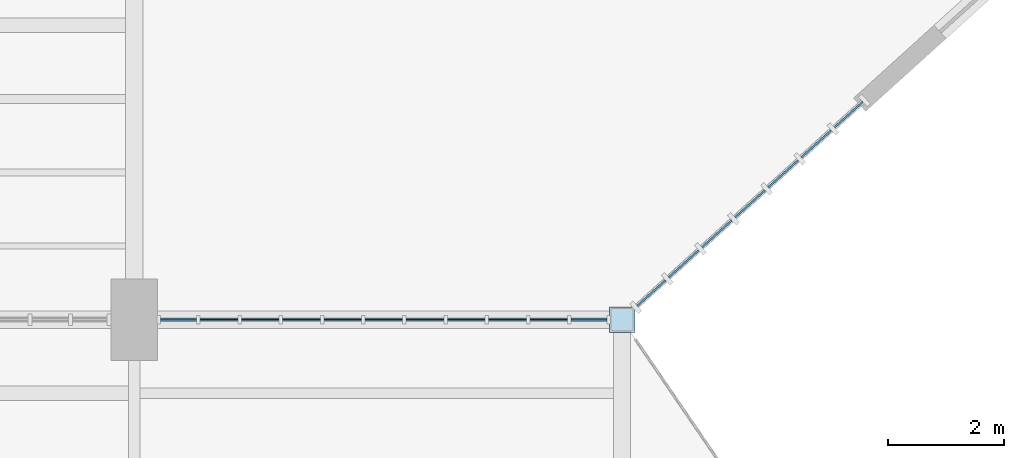
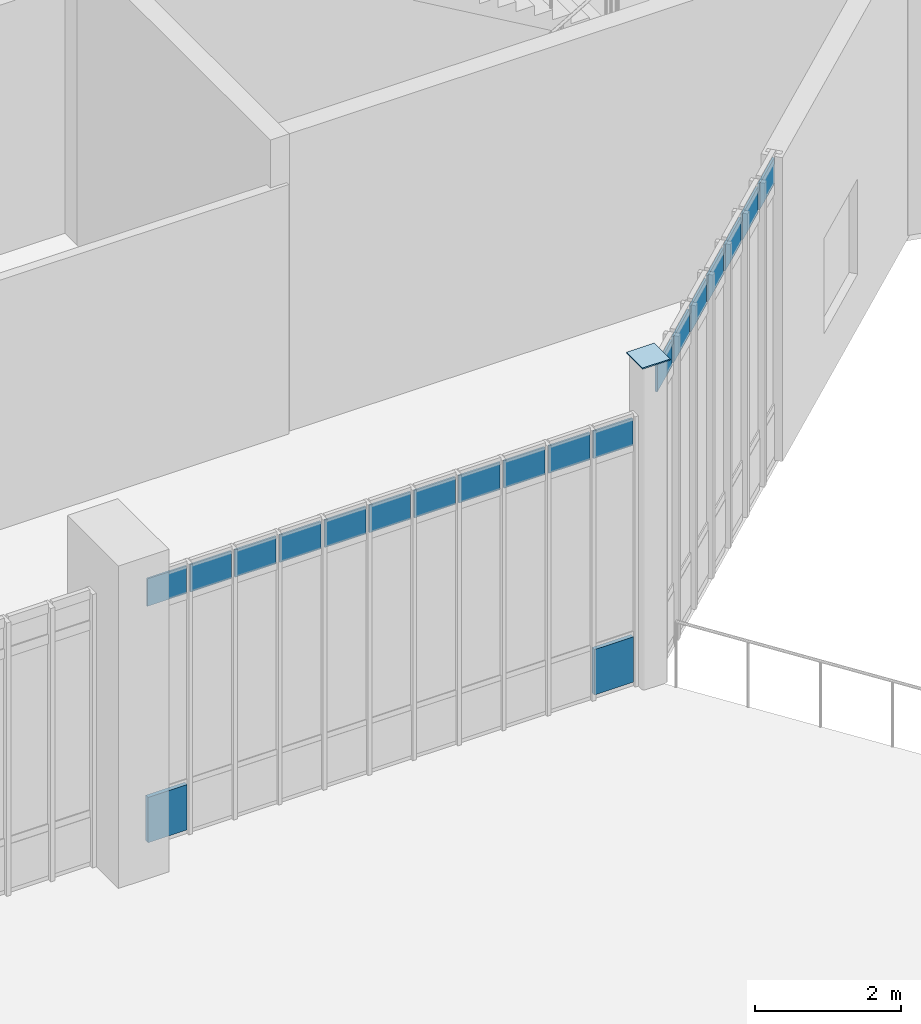
# One storey, part 86 of 127: 21 plates, 2 elements without a shape of their own.
"""IFC4 building model written with IfcOpenShell, lengths in metres."""

import ifcopenshell
import ifcopenshell.guid

model = None  # the IFC model being written
_history = None  # IfcOwnerHistory: only IFC2X3 demands one
_inside = {}  # id of a spatial element -> (the spatial element, [elements in it])
_under = {}  # id of a project, library or spatial element -> (it, [spatial elements below it])
_declared = {}  # id of a project -> (the project, [libraries it declares])
_typed = {}  # id of a type object -> (the type object, [elements of that type])
_made_of = {}  # id of a material, layer set ... -> (it, [elements and type objects made of it])


def new_model(schema):
    """Start an empty IFC model of exactly this schema.

    Asked for "IFC4X3", IfcOpenShell would pick the latest addendum, in which some entities
    have other attributes; the version numbers below select the first issue.
    IFC2X3 requires an IfcOwnerHistory on every rooted entity: one is made here for all.
    """
    global model, _history
    if schema == "IFC4X3":
        model = ifcopenshell.file(schema_version=(4, 3, 0, 0))
    else:
        model = ifcopenshell.file(schema=schema)
    _inside.clear()
    _under.clear()
    _declared.clear()
    _typed.clear()
    _made_of.clear()
    _history = None
    if model.schema == "IFC2X3":
        org = make("IfcOrganization", Name="unknown")
        user = make(
            "IfcPersonAndOrganization",
            ThePerson=make("IfcPerson", FamilyName="unknown"),
            TheOrganization=org,
        )
        app = make(
            "IfcApplication",
            ApplicationDeveloper=org,
            Version="unknown",
            ApplicationFullName="unknown",
            ApplicationIdentifier="unknown",
        )
        _history = make(
            "IfcOwnerHistory",
            OwningUser=user,
            OwningApplication=app,
            ChangeAction="ADDED",
            CreationDate=0,
        )
    return model


def make(cls, **values):
    """One entity of the class cls with the attributes given. An attribute that is None is left unset."""
    return model.create_entity(
        cls, **{name: value for name, value in values.items() if value is not None}
    )


def rooted(cls, **values):
    """An entity with a GlobalId (a new one), such as an element, a storey or a relation."""
    return make(cls, GlobalId=ifcopenshell.guid.new(), OwnerHistory=_history, **values)


def si_unit(unit_type, name, prefix=None):
    """IfcSIUnit, for example si_unit("LENGTHUNIT", "METRE", prefix="MILLI")."""
    return make("IfcSIUnit", UnitType=unit_type, Prefix=prefix, Name=name)


def assignment(units):
    """IfcUnitAssignment: the units of a project."""
    return None if units is None else make("IfcUnitAssignment", Units=units)


def point(xyz):
    """IfcCartesianPoint."""
    return None if xyz is None else make("IfcCartesianPoint", Coordinates=xyz)


def direction(xyz):
    """IfcDirection."""
    return None if xyz is None else make("IfcDirection", DirectionRatios=xyz)


def frame(location, z_axis=None, x_axis=None):
    """IfcAxis2Placement3D, a coordinate frame: its origin and axes. An axis left out is left unset."""
    return make(
        "IfcAxis2Placement3D",
        Location=point(location),
        Axis=direction(z_axis),
        RefDirection=direction(x_axis),
    )


def frame_2d(location, x_axis=None):
    """IfcAxis2Placement2D, a coordinate frame in the plane: its origin and x axis."""
    return make(
        "IfcAxis2Placement2D", Location=point(location), RefDirection=direction(x_axis)
    )


def origin():
    """The frame at (0, 0, 0) with its axes left unset."""
    return frame((0.0, 0.0, 0.0))


def origin_2d():
    """The frame at (0, 0) in the plane with its x axis left unset."""
    return frame_2d((0.0, 0.0))


def place(relative_to, where):
    """IfcLocalPlacement: puts the frame where relative to a parent placement (None: the world)."""
    return make(
        "IfcLocalPlacement", PlacementRelTo=relative_to, RelativePlacement=where
    )


def context(
    kind, dimensions, precision=None, world=None, true_north=None, identifier=None
):
    """IfcGeometricRepresentationContext, for example the 3D "Model" context."""
    return make(
        "IfcGeometricRepresentationContext",
        ContextIdentifier=identifier,
        ContextType=kind,
        CoordinateSpaceDimension=dimensions,
        Precision=precision,
        WorldCoordinateSystem=world,
        TrueNorth=true_north,
    )


def subcontext(parent, identifier, kind, view, scale=None):
    """IfcGeometricRepresentationSubContext, for example "Body" below "Model"."""
    return make(
        "IfcGeometricRepresentationSubContext",
        ContextIdentifier=identifier,
        ContextType=kind,
        ParentContext=parent,
        TargetScale=scale,
        TargetView=view,
    )


def project(units=None, contexts=None):
    """IfcProject with its units and contexts."""
    return rooted(
        "IfcProject",
        Name="project",
        RepresentationContexts=contexts,
        UnitsInContext=assignment(units),
    )


def spatial(cls, under=None, at=None, **own):
    """A site, building, storey or space (cls), placed at a placement, below another one or the project."""
    s = rooted(cls, ObjectPlacement=at, **own)
    if under is not None:
        _under.setdefault(under.id(), (under, []))[1].append(s)
    return s


def profile(cls, at=None, kind="AREA", **sizes):
    """A parametric profile (cls). Its sizes go by their IFC names, for example OverallWidth=200.0."""
    return make(cls, ProfileType=kind, Position=at, **sizes)


def rectangle(**sizes):
    """IfcRectangleProfileDef."""
    return profile("IfcRectangleProfileDef", **sizes)


def extrude(swept, where, along, depth):
    """IfcExtrudedAreaSolid: the profile swept, set in the frame where, extruded along a direction by depth."""
    return make(
        "IfcExtrudedAreaSolid",
        SweptArea=swept,
        Position=where,
        ExtrudedDirection=direction(along),
        Depth=depth,
    )


def shape(context_of_items, identifier, shape_type, items):
    """IfcShapeRepresentation: the items that make up one representation, for example the "Body"."""
    return make(
        "IfcShapeRepresentation",
        ContextOfItems=context_of_items,
        RepresentationIdentifier=identifier,
        RepresentationType=shape_type,
        Items=items,
    )


def material(Name=None, Category=None):
    """IfcMaterial."""
    return make("IfcMaterial", Name=Name, Category=Category)


def layer(
    of_material, thickness, ventilated=None, Name=None, Category=None, Priority=None
):
    """IfcMaterialLayer: one layer of a wall or slab, of a material (None: an air gap)."""
    return make(
        "IfcMaterialLayer",
        Material=of_material,
        LayerThickness=thickness,
        IsVentilated=ventilated,
        Name=Name,
        Category=Category,
        Priority=Priority,
    )


def layer_set(layers, Name=None):
    """IfcMaterialLayerSet."""
    return make("IfcMaterialLayerSet", MaterialLayers=layers, LayerSetName=Name)


def made_of(thing, what):
    """Note that an element or type object is made of a material, layer set ...; save() writes the relation."""
    if what is not None:
        _made_of.setdefault(what.id(), (what, []))[1].append(thing)
    return thing


def type_object(cls, material=None, **own):
    """A type object (cls), such as IfcWallType, which elements share."""
    return made_of(rooted(cls, **own), material)


def element(
    cls,
    number,
    at=None,
    inside=None,
    cuts=None,
    type_object=None,
    material=None,
    context=None,
    identifier="Body",
    shape_type=None,
    held_by="IfcProductDefinitionShape",
    body=None,
    shapes=None,
    **own,
):
    """One element of the class cls, such as IfcWall. Its Tag is "e" and its number.

    at: its placement. inside: the storey or other place that contains it. cuts: it is an
    opening in that element (IfcRelVoidsElement). A single representation is given by context,
    identifier, shape_type and body (its items); several are given by shapes. held_by: the class
    of the entity that holds the representations. save() writes the other relations.
    """
    e = rooted(cls, Tag="e%d" % number, ObjectPlacement=at, **own)
    if body is not None:
        shapes = [shape(context, identifier, shape_type, body)]
    if shapes is not None:
        e.Representation = make(held_by, Representations=shapes)
    if inside is not None:
        _inside.setdefault(inside.id(), (inside, []))[1].append(e)
    if cuts is not None:
        rooted(
            "IfcRelVoidsElement", RelatingBuildingElement=cuts, RelatedOpeningElement=e
        )
    if type_object is not None:
        _typed.setdefault(type_object.id(), (type_object, []))[1].append(e)
    return made_of(e, material)


def aggregate(whole, parts):
    """IfcRelAggregates: a whole, such as a stair, and the parts it consists of."""
    return rooted("IfcRelAggregates", RelatingObject=whole, RelatedObjects=parts)


def save(model, path):
    """Write the relations noted so far, then the file.

    IfcRelAggregates (storeys below a building ...), IfcRelContainedInSpatialStructure (elements
    in a storey), IfcRelDefinesByType, IfcRelAssociatesMaterial and IfcRelDeclares: one each for
    every whole, place, type object, material and project.
    """
    for whole, parts in _under.values():
        aggregate(whole, parts)
    for where, things in _inside.values():
        rooted(
            "IfcRelContainedInSpatialStructure",
            RelatedElements=things,
            RelatingStructure=where,
        )
    for kind, things in _typed.values():
        rooted("IfcRelDefinesByType", RelatedObjects=things, RelatingType=kind)
    for what, things in _made_of.values():
        rooted("IfcRelAssociatesMaterial", RelatedObjects=things, RelatingMaterial=what)
    for by, libraries in _declared.values():
        rooted("IfcRelDeclares", RelatingContext=by, RelatedDefinitions=libraries)
    model.write(path)


model = new_model("IFC4")

# Units and contexts
model_context = context("Model", 3, precision=1e-05, world=origin(), true_north=direction((0.0, 1.0)))
body_context = subcontext(model_context, "Body", "Model", "MODEL_VIEW")
ifc_project = project(units=[si_unit("LENGTHUNIT", "METRE"), si_unit("AREAUNIT", "SQUARE_METRE"), si_unit("VOLUMEUNIT", "CUBIC_METRE"), si_unit("PLANEANGLEUNIT", "RADIAN"), si_unit("MASSUNIT", "GRAM", prefix="KILO")], contexts=[model_context])

# Site, building, storey
site_placement = place(None, origin())
site = spatial("IfcSite", under=ifc_project, at=site_placement, CompositionType="ELEMENT")
building_placement = place(site_placement, origin())
building = spatial("IfcBuilding", under=site, at=building_placement, Name="Larkvane Passage Sports Hall", CompositionType="ELEMENT")
storey_placement = place(building_placement, frame((0.0, 0.0, 5.39990234375)))
storey = spatial("IfcBuildingStorey", under=building, at=storey_placement, Name="L01", CompositionType="ELEMENT", Elevation=5.39990234375)

# Curtain wall, plates
ifc_material_1 = material(Name="Thermally broken aluminium and low-E glazing", Category="aluminium")
curtain_wall_type_1 = type_object("IfcCurtainWallType", Name="CW-UNIT-COURT", PredefinedType="USERDEFINED", material=ifc_material_1)
curtain_wall_1_placement = place(storey_placement, origin())
curtain_wall_1 = element("IfcCurtainWall", 1, at=curtain_wall_1_placement, inside=storey, type_object=curtain_wall_type_1, Name="Curtain wall CW5-L01-028", ObjectType="UNITISED CURTAIN WALL", PredefinedType="USERDEFINED")
ifc_material_2 = material(Name="Insulated aluminium spandrel panel", Category="aluminium")
ifc_layer_1 = layer(ifc_material_2, 0.06494140625)
ifc_layer_set_1 = layer_set([ifc_layer_1], Name="Insulated aluminium spandrel panel")
plate_type_1 = type_object("IfcPlateType", Name="CWP-SPD-65", PredefinedType="CURTAIN_PANEL", material=ifc_layer_set_1)
plate_1_placement = place(storey_placement, frame((84.634033203125, 15.199951171875, 0.06005859375), z_axis=(0.0, 0.0, 1.0), x_axis=(-1.0, 0.0, 0.0)))
plate_1 = element("IfcPlate", 2, at=plate_1_placement, type_object=plate_type_1, Name="CW-01 panel 1.1", PredefinedType="CURTAIN_PANEL", context=body_context, shape_type="SweptSolid", body=[
    extrude(rectangle(XDim=0.619873046875, YDim=0.06494140625, at=origin_2d()), origin(), (0.0, 0.0, 1.0), 0.760009765625),
])
plate_2_placement = place(storey_placement, frame((77.56591796875, 15.199951171875, 0.06005859375), z_axis=(0.0, 0.0, 1.0), x_axis=(-1.0, 0.0, 0.0)))
plate_2 = element("IfcPlate", 3, at=plate_2_placement, type_object=plate_type_1, Name="CW-01 panel 11.1", PredefinedType="CURTAIN_PANEL", context=body_context, shape_type="SweptSolid", body=[
    extrude(rectangle(XDim=0.619873046875, YDim=0.06494140625, at=origin_2d()), origin(), (0.0, 0.0, 1.0), 0.760009765625),
])
ifc_material_3 = material(Name="Solar-control low-E double glazing", Category="glass")
ifc_layer_2 = layer(ifc_material_3, 0.028076171875)
ifc_layer_set_2 = layer_set([ifc_layer_2], Name="Solar-control low-E double glazing")
plate_type_2 = type_object("IfcPlateType", Name="CWP-VIS-28", PredefinedType="CURTAIN_PANEL", material=ifc_layer_set_2)
plate_3_placement = place(storey_placement, frame((84.634033203125, 15.199951171875, 4.008056640625), z_axis=(0.0, 0.0, 1.0), x_axis=(-1.0, 0.0, 0.0)))
plate_3 = element("IfcPlate", 4, at=plate_3_placement, type_object=plate_type_2, Name="CW-01 panel 1.3", PredefinedType="CURTAIN_PANEL", context=body_context, shape_type="SweptSolid", body=[
    extrude(rectangle(XDim=0.619873046875, YDim=0.028076171875, at=origin_2d()), origin(), (0.0, 0.0, 1.0), 0.4599609375),
])
plate_4_placement = place(storey_placement, frame((83.939208984375, 15.199951171875, 4.008056640625), z_axis=(0.0, 0.0, 1.0), x_axis=(-1.0, 0.0, 0.0)))
plate_4 = element("IfcPlate", 5, at=plate_4_placement, type_object=plate_type_2, Name="CW-01 panel 2.3", PredefinedType="CURTAIN_PANEL", context=body_context, shape_type="SweptSolid", body=[
    extrude(rectangle(XDim=0.64990234375, YDim=0.028076171875, at=origin_2d()), origin(), (0.0, 0.0, 1.0), 0.4599609375),
])
plate_5_placement = place(storey_placement, frame((83.2294921875, 15.199951171875, 4.008056640625), z_axis=(0.0, 0.0, 1.0), x_axis=(-1.0, 0.0, 0.0)))
plate_5 = element("IfcPlate", 6, at=plate_5_placement, type_object=plate_type_2, Name="CW-01 panel 3.3", PredefinedType="CURTAIN_PANEL", context=body_context, shape_type="SweptSolid", body=[
    extrude(rectangle(XDim=0.64990234375, YDim=0.028076171875, at=origin_2d()), origin(), (0.0, 0.0, 1.0), 0.4599609375),
])
plate_6_placement = place(storey_placement, frame((82.51953125, 15.199951171875, 4.008056640625), z_axis=(0.0, 0.0, 1.0), x_axis=(-1.0, 0.0, 0.0)))
plate_6 = element("IfcPlate", 7, at=plate_6_placement, type_object=plate_type_2, Name="CW-01 panel 4.3", PredefinedType="CURTAIN_PANEL", context=body_context, shape_type="SweptSolid", body=[
    extrude(rectangle(XDim=0.64990234375, YDim=0.028076171875, at=origin_2d()), origin(), (0.0, 0.0, 1.0), 0.4599609375),
])
plate_7_placement = place(storey_placement, frame((81.809814453125, 15.199951171875, 4.008056640625), z_axis=(0.0, 0.0, 1.0), x_axis=(-1.0, 0.0, 0.0)))
plate_7 = element("IfcPlate", 8, at=plate_7_placement, type_object=plate_type_2, Name="CW-01 panel 5.3", PredefinedType="CURTAIN_PANEL", context=body_context, shape_type="SweptSolid", body=[
    extrude(rectangle(XDim=0.64990234375, YDim=0.028076171875, at=origin_2d()), origin(), (0.0, 0.0, 1.0), 0.4599609375),
])
plate_8_placement = place(storey_placement, frame((81.10009765625, 15.199951171875, 4.008056640625), z_axis=(0.0, 0.0, 1.0), x_axis=(-1.0, 0.0, 0.0)))
plate_8 = element("IfcPlate", 9, at=plate_8_placement, type_object=plate_type_2, Name="CW-01 panel 6.3", PredefinedType="CURTAIN_PANEL", context=body_context, shape_type="SweptSolid", body=[
    extrude(rectangle(XDim=0.64990234375, YDim=0.028076171875, at=origin_2d()), origin(), (0.0, 0.0, 1.0), 0.4599609375),
])
plate_9_placement = place(storey_placement, frame((80.39013671875, 15.199951171875, 4.008056640625), z_axis=(0.0, 0.0, 1.0), x_axis=(-1.0, 0.0, 0.0)))
plate_9 = element("IfcPlate", 10, at=plate_9_placement, type_object=plate_type_2, Name="CW-01 panel 7.3", PredefinedType="CURTAIN_PANEL", context=body_context, shape_type="SweptSolid", body=[
    extrude(rectangle(XDim=0.64990234375, YDim=0.028076171875, at=origin_2d()), origin(), (0.0, 0.0, 1.0), 0.4599609375),
])
plate_10_placement = place(storey_placement, frame((79.680419921875, 15.199951171875, 4.008056640625), z_axis=(0.0, 0.0, 1.0), x_axis=(-1.0, 0.0, 0.0)))
plate_10 = element("IfcPlate", 11, at=plate_10_placement, type_object=plate_type_2, Name="CW-01 panel 8.3", PredefinedType="CURTAIN_PANEL", context=body_context, shape_type="SweptSolid", body=[
    extrude(rectangle(XDim=0.64990234375, YDim=0.028076171875, at=origin_2d()), origin(), (0.0, 0.0, 1.0), 0.4599609375),
])
plate_11_placement = place(storey_placement, frame((78.970458984375, 15.199951171875, 4.008056640625), z_axis=(0.0, 0.0, 1.0), x_axis=(-1.0, 0.0, 0.0)))
plate_11 = element("IfcPlate", 12, at=plate_11_placement, type_object=plate_type_2, Name="CW-01 panel 9.3", PredefinedType="CURTAIN_PANEL", context=body_context, shape_type="SweptSolid", body=[
    extrude(rectangle(XDim=0.64990234375, YDim=0.028076171875, at=origin_2d()), origin(), (0.0, 0.0, 1.0), 0.4599609375),
])
plate_12_placement = place(storey_placement, frame((78.2607421875, 15.199951171875, 4.008056640625), z_axis=(0.0, 0.0, 1.0), x_axis=(-1.0, 0.0, 0.0)))
plate_12 = element("IfcPlate", 13, at=plate_12_placement, type_object=plate_type_2, Name="CW-01 panel 10.3", PredefinedType="CURTAIN_PANEL", context=body_context, shape_type="SweptSolid", body=[
    extrude(rectangle(XDim=0.64990234375, YDim=0.028076171875, at=origin_2d()), origin(), (0.0, 0.0, 1.0), 0.4599609375),
])
plate_13_placement = place(storey_placement, frame((77.56591796875, 15.199951171875, 4.008056640625), z_axis=(0.0, 0.0, 1.0), x_axis=(-1.0, 0.0, 0.0)))
plate_13 = element("IfcPlate", 14, at=plate_13_placement, type_object=plate_type_2, Name="CW-01 panel 11.3", PredefinedType="CURTAIN_PANEL", context=body_context, shape_type="SweptSolid", body=[
    extrude(rectangle(XDim=0.619873046875, YDim=0.028076171875, at=origin_2d()), origin(), (0.0, 0.0, 1.0), 0.4599609375),
])
aggregate(curtain_wall_1, [plate_1, plate_3, plate_4, plate_5, plate_6, plate_7, plate_8, plate_9, plate_10, plate_11, plate_12, plate_2, plate_13])

curtain_wall_type_2 = type_object("IfcCurtainWallType", Name="CW-UNIT-VEIL", PredefinedType="USERDEFINED", material=ifc_material_1)
curtain_wall_2_placement = place(storey_placement, origin())
curtain_wall_2 = element("IfcCurtainWall", 15, at=curtain_wall_2_placement, inside=storey, type_object=curtain_wall_type_2, Name="Curtain wall CW5-L01-065", ObjectType="UNITISED CURTAIN WALL", PredefinedType="USERDEFINED")
ifc_material_4 = material(Name="Laminated acoustic low-E glazing", Category="glass")
ifc_layer_3 = layer(ifc_material_4, 0.031982421875)
ifc_layer_set_3 = layer_set([ifc_layer_3], Name="Laminated acoustic low-E glazing")
plate_type_3 = type_object("IfcPlateType", Name="CWP-VIS-32", PredefinedType="CURTAIN_PANEL", material=ifc_layer_set_3)
plate_14_placement = place(storey_placement, frame((89.100830078125, 18.729248046875, 4.57763671875), z_axis=(0.0, 0.0, 1.0), x_axis=(-0.741532699805, -0.67091672741, 0.0)))
plate_14 = element("IfcPlate", 16, at=plate_14_placement, type_object=plate_type_3, Name="CW-02 panel 1.3", PredefinedType="CURTAIN_PANEL", context=body_context, shape_type="SweptSolid", body=[
    extrude(rectangle(XDim=0.65673828125, YDim=0.031982421875, at=origin_2d()), origin(), (0.0, 0.0, 1.0), 0.4375),
])
plate_15_placement = place(storey_placement, frame((88.544189453125, 18.225830078125, 4.57763671875), z_axis=(0.0, 0.0, 1.0), x_axis=(-0.741532699805, -0.67091672741, 0.0)))
plate_15 = element("IfcPlate", 17, at=plate_15_placement, type_object=plate_type_3, Name="CW-02 panel 2.3", PredefinedType="CURTAIN_PANEL", context=body_context, shape_type="SweptSolid", body=[
    extrude(rectangle(XDim=0.6943359375, YDim=0.031982421875, at=origin_2d()), origin(), (0.0, 0.0, 1.0), 0.4375),
])
plate_16_placement = place(storey_placement, frame((87.9736328125, 17.70947265625, 4.57763671875), z_axis=(0.0, 0.0, 1.0), x_axis=(-0.741532699805, -0.67091672741, 0.0)))
plate_16 = element("IfcPlate", 18, at=plate_16_placement, type_object=plate_type_3, Name="CW-02 panel 3.3", PredefinedType="CURTAIN_PANEL", context=body_context, shape_type="SweptSolid", body=[
    extrude(rectangle(XDim=0.6943359375, YDim=0.031982421875, at=origin_2d()), origin(), (0.0, 0.0, 1.0), 0.4375),
])
plate_17_placement = place(storey_placement, frame((87.4033203125, 17.193359375, 4.57763671875), z_axis=(0.0, 0.0, 1.0), x_axis=(-0.741532699805, -0.67091672741, 0.0)))
plate_17 = element("IfcPlate", 19, at=plate_17_placement, type_object=plate_type_3, Name="CW-02 panel 4.3", PredefinedType="CURTAIN_PANEL", context=body_context, shape_type="SweptSolid", body=[
    extrude(rectangle(XDim=0.6943359375, YDim=0.031982421875, at=origin_2d()), origin(), (0.0, 0.0, 1.0), 0.4375),
])
plate_18_placement = place(storey_placement, frame((86.832763671875, 16.67724609375, 4.57763671875), z_axis=(0.0, 0.0, 1.0), x_axis=(-0.741532699805, -0.67091672741, 0.0)))
plate_18 = element("IfcPlate", 20, at=plate_18_placement, type_object=plate_type_3, Name="CW-02 panel 5.3", PredefinedType="CURTAIN_PANEL", context=body_context, shape_type="SweptSolid", body=[
    extrude(rectangle(XDim=0.6943359375, YDim=0.031982421875, at=origin_2d()), origin(), (0.0, 0.0, 1.0), 0.4375),
])
plate_19_placement = place(storey_placement, frame((86.26220703125, 16.1611328125, 4.57763671875), z_axis=(0.0, 0.0, 1.0), x_axis=(-0.741532699805, -0.67091672741, 0.0)))
plate_19 = element("IfcPlate", 21, at=plate_19_placement, type_object=plate_type_3, Name="CW-02 panel 6.3", PredefinedType="CURTAIN_PANEL", context=body_context, shape_type="SweptSolid", body=[
    extrude(rectangle(XDim=0.6943359375, YDim=0.031982421875, at=origin_2d()), origin(), (0.0, 0.0, 1.0), 0.4375),
])
plate_20_placement = place(storey_placement, frame((85.70556640625, 15.657470703125, 4.57763671875), z_axis=(0.0, 0.0, 1.0), x_axis=(-0.741532699805, -0.67091672741, 0.0)))
plate_20 = element("IfcPlate", 22, at=plate_20_placement, type_object=plate_type_3, Name="CW-02 panel 7.3", PredefinedType="CURTAIN_PANEL", context=body_context, shape_type="SweptSolid", body=[
    extrude(rectangle(XDim=0.65673828125, YDim=0.031982421875, at=origin_2d()), origin(), (0.0, 0.0, 1.0), 0.4375),
])
aggregate(curtain_wall_2, [plate_14, plate_15, plate_16, plate_17, plate_18, plate_19, plate_20])

# Plate
ifc_material_5 = material(Name="Steel S460N", Category="steel")
ifc_layer_4 = layer(ifc_material_5, 0.02001953125)
ifc_layer_set_4 = layer_set([ifc_layer_4], Name="Steel S460N")
plate_type_4 = type_object("IfcPlateType", Name="PLT-CAP-20", PredefinedType="SHEET", material=ifc_layer_set_4)
plate_21_placement = place(storey_placement, frame((85.199951171875, 15.199951171875, 5.400146484375), z_axis=(0.0, 0.0, 1.0), x_axis=(1.0, 0.0, 0.0)))
element("IfcPlate", 23, at=plate_21_placement, inside=storey, type_object=plate_type_4, Name="Hollow section sealed end cap plate 0017", PredefinedType="SHEET", context=body_context, shape_type="SweptSolid", body=[
    extrude(rectangle(XDim=0.43994140625, YDim=0.43994140625, at=origin_2d()), origin(), (0.0, 0.0, 1.0), 0.02001953125),
])

save(model, "model.ifc")
